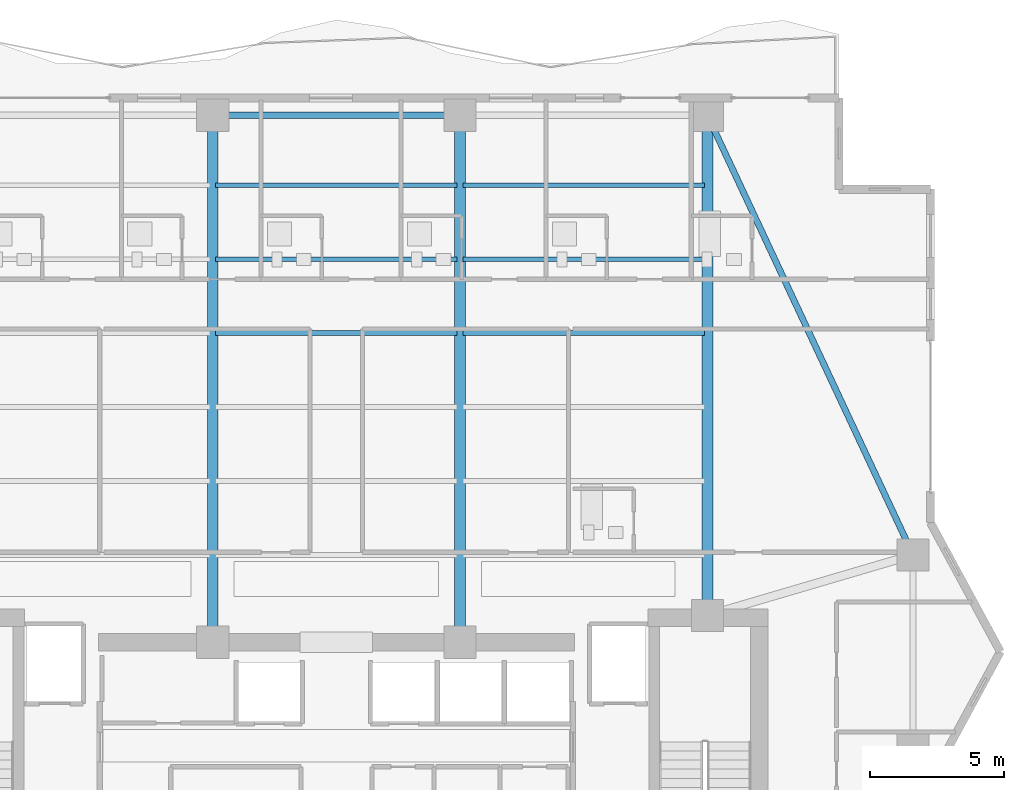
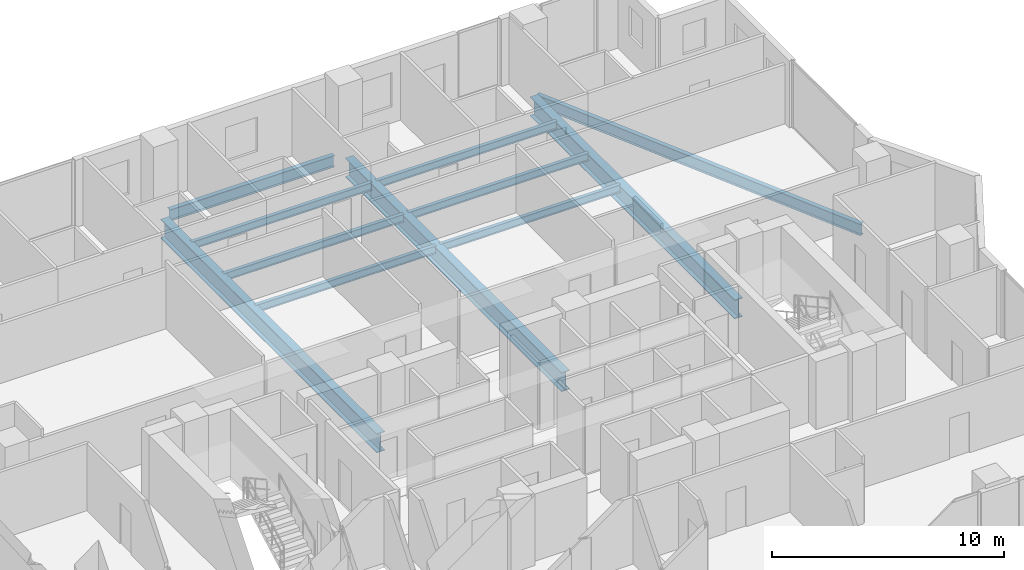
# One storey, part 20 of 33: 11 beams.
"""IFC4 building model written with IfcOpenShell, lengths in metres."""

from ifc_helpers import new_model, si_unit, direction, frame, origin, origin_2d, place, context, subcontext, project, spatial, i_section, extrude, material, material_profile, profile_set, type_object, element, save


model = new_model("IFC4")

# Units and contexts
model_context = context("Model", 3, precision=1e-05, world=origin(), true_north=direction((0.0, 1.0)))
body_context = subcontext(model_context, "Body", "Model", "MODEL_VIEW")
ifc_project = project(units=[si_unit("LENGTHUNIT", "METRE"), si_unit("AREAUNIT", "SQUARE_METRE"), si_unit("VOLUMEUNIT", "CUBIC_METRE"), si_unit("PLANEANGLEUNIT", "RADIAN"), si_unit("MASSUNIT", "GRAM", prefix="KILO")], contexts=[model_context])

# Site, building, storey
site_placement = place(None, origin())
site = spatial("IfcSite", under=ifc_project, at=site_placement, CompositionType="ELEMENT")
building_placement = place(site_placement, origin())
building = spatial("IfcBuilding", under=site, at=building_placement, Name="Zuhayl Quay Hotel", CompositionType="ELEMENT")
storey_placement = place(building_placement, frame((0.0, 0.0, 207.39990234375)))
storey = spatial("IfcBuildingStorey", under=building, at=storey_placement, Name="L52", CompositionType="ELEMENT", Elevation=207.39990234375)

# Beams
ifc_material = material(Name="Steel ASTM A992 Grade 50", Category="steel")
ifc_material_profile_1 = material_profile(ifc_material, i_section(OverallWidth=0.22802734375, OverallDepth=0.60693359375, WebThickness=0.01123046875, FlangeThickness=0.017333984375, at=origin_2d()), Name="W24X76")
ifc_profile_set_1 = profile_set([ifc_material_profile_1], Name="Steel ASTM A992 Grade 50")
beam_type_1 = type_object("IfcBeamType", Name="BM_B3_W24X76", PredefinedType="BEAM", material=ifc_profile_set_1)
beam_1_placement = place(storey_placement, frame((21.238037109375, 17.052978515625, -0.5234375), z_axis=(-0.423792164429, 0.905759461098, 0.0), x_axis=(-0.905759461098, -0.423792164429, 0.0)))
element("IfcBeam", 1, at=beam_1_placement, inside=storey, type_object=beam_type_1, Name="L52 Floor Beam RG_L52_06", PredefinedType="BEAM", context=body_context, shape_type="SweptSolid", body=[
    extrude(i_section(OverallWidth=0.22802734375, OverallDepth=0.60693359375, WebThickness=0.01123046875, FlangeThickness=0.017333984375, at=origin_2d()), origin(), (0.0, 0.0, 1.0), 17.051025390625),
])
beam_2_placement = place(storey_placement, frame((4.10009765625, 32.949951171875, -0.5234375), z_axis=(-1.0, 0.0, 0.0), x_axis=(0.0, -1.0, 0.0)))
element("IfcBeam", 2, at=beam_2_placement, inside=storey, type_object=beam_type_1, Name="L52 Floor Beam RG_L52_08", PredefinedType="BEAM", context=body_context, shape_type="SweptSolid", body=[
    extrude(i_section(OverallWidth=0.22802734375, OverallDepth=0.60693359375, WebThickness=0.01123046875, FlangeThickness=0.017333984375, at=origin_2d()), origin(), (0.0, 0.0, 1.0), 8.2001953125),
])
ifc_material_profile_2 = material_profile(ifc_material, i_section(OverallWidth=0.177978515625, OverallDepth=0.406005859375, WebThickness=0.0078125, FlangeThickness=0.0126953125, at=origin_2d()), Name="W16X40")
ifc_profile_set_2 = profile_set([ifc_material_profile_2], Name="Steel ASTM A992 Grade 50")
beam_type_2 = type_object("IfcBeamType", Name="BM_J2B_W16X40", PredefinedType="JOIST", material=ifc_profile_set_2)
beam_3_placement = place(storey_placement, frame((-4.493896484375, 24.85009765625, -0.4228515625), z_axis=(1.0, 0.0, 0.0), x_axis=(0.0, 1.0, 0.0)))
element("IfcBeam", 3, at=beam_3_placement, inside=storey, type_object=beam_type_2, Name="L52 Floor Beam FJ_L52_4_2", PredefinedType="JOIST", context=body_context, shape_type="SweptSolid", body=[
    extrude(i_section(OverallWidth=0.177978515625, OverallDepth=0.406005859375, WebThickness=0.0078125, FlangeThickness=0.0126953125, at=origin_2d()), origin(), (0.0, 0.0, 1.0), 8.98779296875),
])
beam_4_placement = place(storey_placement, frame((4.7060546875, 24.85009765625, -0.4228515625), z_axis=(1.0, 0.0, 0.0), x_axis=(0.0, 1.0, 0.0)))
element("IfcBeam", 4, at=beam_4_placement, inside=storey, type_object=beam_type_2, Name="L52 Floor Beam FJ_L52_4_3", PredefinedType="JOIST", context=body_context, shape_type="SweptSolid", body=[
    extrude(i_section(OverallWidth=0.177978515625, OverallDepth=0.406005859375, WebThickness=0.0078125, FlangeThickness=0.0126953125, at=origin_2d()), origin(), (0.0, 0.0, 1.0), 8.988037109375),
])
beam_5_placement = place(storey_placement, frame((-4.493896484375, 27.60009765625, -0.4228515625), z_axis=(1.0, 0.0, 0.0), x_axis=(0.0, 1.0, 0.0)))
element("IfcBeam", 5, at=beam_5_placement, inside=storey, type_object=beam_type_2, Name="L52 Floor Beam FJ_L52_5_2", PredefinedType="JOIST", context=body_context, shape_type="SweptSolid", body=[
    extrude(i_section(OverallWidth=0.177978515625, OverallDepth=0.406005859375, WebThickness=0.0078125, FlangeThickness=0.0126953125, at=origin_2d()), origin(), (0.0, 0.0, 1.0), 8.98779296875),
])
beam_6_placement = place(storey_placement, frame((4.7060546875, 27.60009765625, -0.4228515625), z_axis=(1.0, 0.0, 0.0), x_axis=(0.0, 1.0, 0.0)))
element("IfcBeam", 6, at=beam_6_placement, inside=storey, type_object=beam_type_2, Name="L52 Floor Beam FJ_L52_5_3", PredefinedType="JOIST", context=body_context, shape_type="SweptSolid", body=[
    extrude(i_section(OverallWidth=0.177978515625, OverallDepth=0.406005859375, WebThickness=0.0078125, FlangeThickness=0.0126953125, at=origin_2d()), origin(), (0.0, 0.0, 1.0), 8.988037109375),
])
beam_7_placement = place(storey_placement, frame((-4.493896484375, 30.35009765625, -0.4228515625), z_axis=(1.0, 0.0, 0.0), x_axis=(0.0, 1.0, 0.0)))
element("IfcBeam", 7, at=beam_7_placement, inside=storey, type_object=beam_type_2, Name="L52 Floor Beam FJ_L52_6_2", PredefinedType="JOIST", context=body_context, shape_type="SweptSolid", body=[
    extrude(i_section(OverallWidth=0.177978515625, OverallDepth=0.406005859375, WebThickness=0.0078125, FlangeThickness=0.0126953125, at=origin_2d()), origin(), (0.0, 0.0, 1.0), 8.98779296875),
])
beam_8_placement = place(storey_placement, frame((4.7060546875, 30.35009765625, -0.4228515625), z_axis=(1.0, 0.0, 0.0), x_axis=(0.0, 1.0, 0.0)))
element("IfcBeam", 8, at=beam_8_placement, inside=storey, type_object=beam_type_2, Name="L52 Floor Beam FJ_L52_6_3", PredefinedType="JOIST", context=body_context, shape_type="SweptSolid", body=[
    extrude(i_section(OverallWidth=0.177978515625, OverallDepth=0.406005859375, WebThickness=0.0078125, FlangeThickness=0.0126953125, at=origin_2d()), origin(), (0.0, 0.0, 1.0), 8.988037109375),
])
ifc_material_profile_3 = material_profile(ifc_material, i_section(OverallWidth=0.40087890625, OverallDepth=1.010986328125, WebThickness=0.023681640625, FlangeThickness=0.0419921875, at=origin_2d()), Name="W40X297")
ifc_profile_set_3 = profile_set([ifc_material_profile_3], Name="Steel ASTM A992 Grade 50")
beam_type_3 = type_object("IfcBeamType", Name="BM_TG2_W40X297", PredefinedType="BEAM", material=ifc_profile_set_3)
for number, where, z_axis, x_axis, name in (
    (9, (-4.60009765625, 13.800048828125, -0.725341796875), (0.0, 1.0, 0.0), (-1.0, 0.0, 0.0), "L52 Floor Beam FG_N_L52_2"),
    (10, (4.60009765625, 13.800048828125, -0.725341796875), (0.0, 1.0, 0.0), (-1.0, 0.0, 0.0), "L52 Floor Beam FG_N_L52_3"),
):
    element("IfcBeam", number, at=place(storey_placement, frame(where, z_axis=z_axis, x_axis=x_axis)), inside=storey, type_object=beam_type_3, Name=name, PredefinedType="BEAM", context=body_context, shape_type="SweptSolid", body=[
        extrude(i_section(OverallWidth=0.40087890625, OverallDepth=1.010986328125, WebThickness=0.023681640625, FlangeThickness=0.0419921875, at=origin_2d()), origin(), (0.0, 0.0, 1.0), 18.64990234375),
    ])
beam_9_placement = place(storey_placement, frame((13.800048828125, 14.800048828125, -0.725341796875), z_axis=(0.0, 1.0, 0.0), x_axis=(-1.0, 0.0, 0.0)))
element("IfcBeam", 11, at=beam_9_placement, inside=storey, type_object=beam_type_3, Name="L52 Floor Beam FG_N_L52_4", PredefinedType="BEAM", context=body_context, shape_type="SweptSolid", body=[
    extrude(i_section(OverallWidth=0.40087890625, OverallDepth=1.010986328125, WebThickness=0.023681640625, FlangeThickness=0.0419921875, at=origin_2d()), origin(), (0.0, 0.0, 1.0), 17.64990234375),
])

save(model, "model.ifc")
